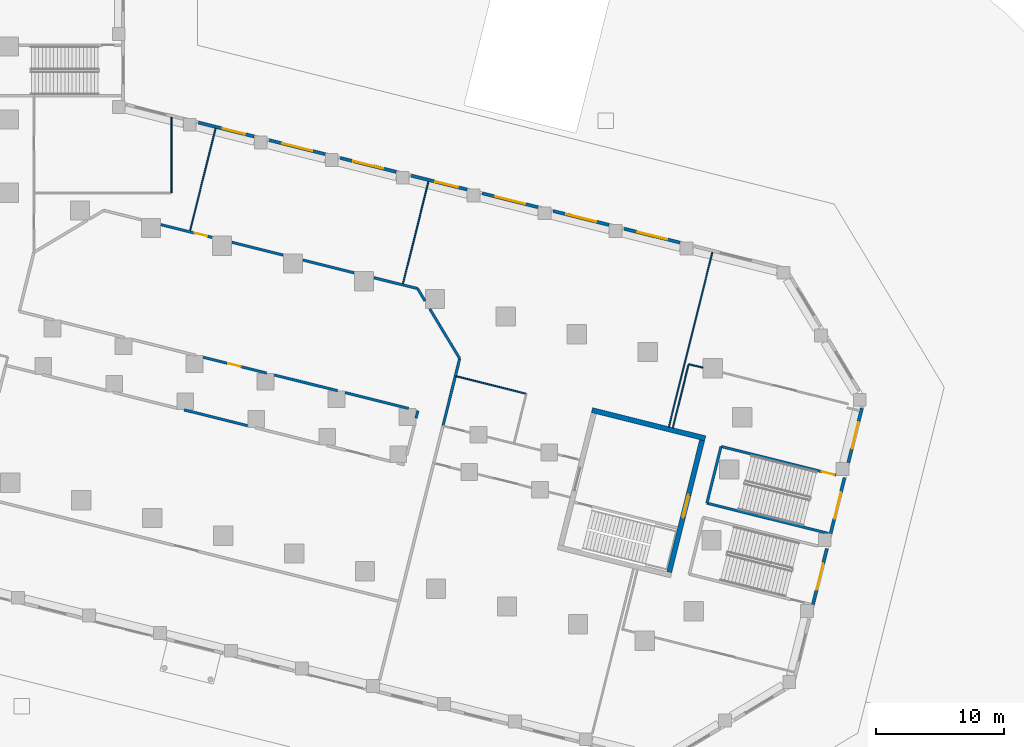
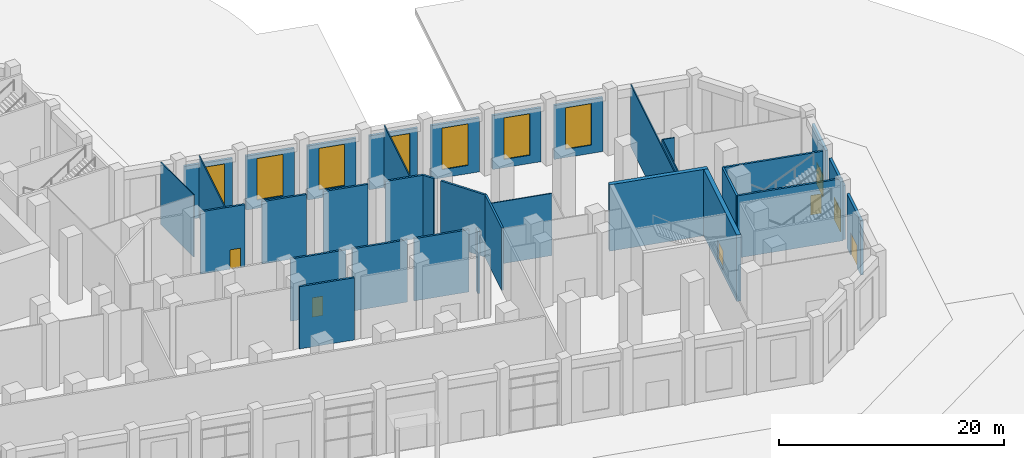
# One storey, part 15 of 27: 34 walls, 7 doors, 7 windows, 14 openings.
"""IFC4 building model written with IfcOpenShell, lengths in metres."""

from ifc_helpers import new_model, si_unit, direction, frame, frame_2d, origin, place, context, subcontext, project, spatial, rectangle, extrude, material, layer, layer_set, type_object, element, fill, save


model = new_model("IFC4")

# Units and contexts
model_context = context("Model", 3, precision=1e-05, world=origin(), true_north=direction((0.0, 1.0)))
body_context = subcontext(model_context, "Body", "Model", "MODEL_VIEW")
ifc_project = project(units=[si_unit("LENGTHUNIT", "METRE"), si_unit("AREAUNIT", "SQUARE_METRE"), si_unit("VOLUMEUNIT", "CUBIC_METRE"), si_unit("PLANEANGLEUNIT", "RADIAN"), si_unit("MASSUNIT", "GRAM", prefix="KILO")], contexts=[model_context])

# Site, building, storey
site_placement = place(None, origin())
site = spatial("IfcSite", under=ifc_project, at=site_placement, CompositionType="ELEMENT")
building_placement = place(site_placement, origin())
building = spatial("IfcBuilding", under=site, at=building_placement, Name="Meshkara Civic Tower", CompositionType="ELEMENT")
storey_placement = place(building_placement, origin())
storey = spatial("IfcBuildingStorey", under=building, at=storey_placement, Name="L00", CompositionType="ELEMENT", Elevation=0.0)

# Walls
ifc_material_1 = material(Name="Corridor wall 100")
ifc_layer_1 = layer(ifc_material_1, 0.10009765625)
ifc_layer_set_1 = layer_set([ifc_layer_1], Name="Corridor wall 100")
wall_type_1 = type_object("IfcWallType", Name="Corridor wall 100", PredefinedType="PARTITIONING", material=ifc_layer_set_1)
wall_1_placement = place(storey_placement, frame((86.31298828125, 1.35888671875, 0.0), z_axis=(0.0, 0.0, 1.0), x_axis=(-0.241961080538, -0.970285955533, 0.0)))
element("IfcWall", 1, at=wall_1_placement, inside=storey, type_object=wall_type_1, Name="L00-R074", PredefinedType="PARTITIONING", context=body_context, shape_type="SweptSolid", body=[
    extrude(rectangle(XDim=5.099609375, YDim=0.10009765625, at=frame_2d((2.5498046875, 0.0))), origin(), (0.0, 0.0, 1.0), 6.75),
])
wall_2_placement = place(storey_placement, frame((87.416015625, 1.083984375, 0.0), z_axis=(0.0, 0.0, 1.0), x_axis=(-0.970319109457, 0.241828091467, 0.0)))
element("IfcWall", 2, at=wall_2_placement, inside=storey, type_object=wall_type_1, Name="L00-R076", PredefinedType="PARTITIONING", context=body_context, shape_type="SweptSolid", body=[
    extrude(rectangle(XDim=1.13671875, YDim=0.10009765625, at=frame_2d((0.568359375, 0.0))), origin(), (0.0, 0.0, 1.0), 6.75),
])
ifc_material_2 = material(Name="Concrete C80", Category="concrete")
ifc_layer_2 = layer(ifc_material_2, 0.39990234375)
ifc_layer_set_2 = layer_set([ifc_layer_2], Name="End core ring wall 400 C80")
wall_type_2 = type_object("IfcWallType", Name="End core ring wall 400 C80", PredefinedType="SHEAR", material=ifc_layer_set_2)
wall_3_placement = place(storey_placement, frame((78.77197265625, -2.222900390625, -0.449951171875), z_axis=(0.0, 0.0, 1.0), x_axis=(0.970306400786, -0.241879078453, 0.0)))
element("IfcWall", 3, at=wall_3_placement, inside=storey, type_object=wall_type_2, Name="L00-C031", PredefinedType="SHEAR", context=body_context, shape_type="SweptSolid", body=[
    extrude(rectangle(XDim=9.100341796875, YDim=0.39990234375, at=frame_2d((4.55029296875, 0.0))), origin(), (0.0, 0.0, 1.0), 7.199951171875),
])

# Wall, opening, door
wall_4_placement = place(storey_placement, frame((84.794921875, -14.85498046875, -0.449951171875), z_axis=(0.0, 0.0, 1.0), x_axis=(0.241890652548, 0.970303515509, 0.0)))
wall_4 = element("IfcWall", 4, at=wall_4_placement, inside=storey, type_object=wall_type_2, Name="L00-C033", PredefinedType="SHEAR", context=body_context, shape_type="SweptSolid", body=[
    extrude(rectangle(XDim=10.599609375, YDim=0.39990234375, at=frame_2d((5.2998046875, 0.0))), origin(), (0.0, 0.0, 1.0), 7.199951171875),
])
opening_1_placement = place(wall_4_placement, frame((4.39990234375, 0.0, 0.449951171875)))
opening_1 = element("IfcOpeningElement", 5, at=opening_1_placement, cuts=wall_4, Name="Opening L00-K203", PredefinedType="OPENING", context=body_context, shape_type="SweptSolid", body=[
    extrude(rectangle(XDim=1.800048828125, YDim=2.10009765625, at=frame_2d((0.89990234375, 1.050048828125))), frame((0.0, 0.2099609375, 0.0), z_axis=(0.0, -1.0, 0.0), x_axis=(1.0, 0.0, 0.0)), (0.0, 0.0, 1.0), 0.419921875),
])
ifc_material_3 = material(Name="Fire-rated door leaf in steel frame", Category="steel")
door_type_1 = type_object("IfcDoorType", Name="Core double door 1800 EI 120", OperationType="DOUBLE_DOOR_SINGLE_SWING", PredefinedType="DOOR", material=ifc_material_3)
door_1_placement = place(opening_1_placement, origin())
door_1 = element("IfcDoor", 6, at=door_1_placement, inside=storey, type_object=door_type_1, Name="L00-K203", OperationType="DOUBLE_DOOR_SINGLE_SWING", OverallHeight=2.10009765625, OverallWidth=1.800048828125, PredefinedType="DOOR", context=body_context, shape_type="SweptSolid", body=[
    extrude(rectangle(XDim=1.800048828125, YDim=2.10009765625, at=frame_2d((0.89990234375, 1.050048828125))), frame((0.0, 0.02490234375, 0.0), z_axis=(0.0, -1.0, 0.0), x_axis=(1.0, 0.0, 0.0)), (0.0, 0.0, 1.0), 0.050048828125),
])
fill(opening_1, door_1)

# Wall
ifc_material_4 = material(Name="Fire-rated wall 200")
ifc_layer_3 = layer(ifc_material_4, 0.199951171875)
ifc_layer_set_3 = layer_set([ifc_layer_3], Name="Fire-rated wall 200")
wall_type_3 = type_object("IfcWallType", Name="Fire-rated wall 200", PredefinedType="PARTITIONING", material=ifc_layer_set_3)
wall_5_placement = place(storey_placement, frame((46.993896484375, -2.205078125, 0.0), z_axis=(0.0, 0.0, 1.0), x_axis=(0.970286068757, -0.241960626499, 0.0)))
element("IfcWall", 7, at=wall_5_placement, inside=storey, type_object=wall_type_3, Name="L00-R054", PredefinedType="PARTITIONING", context=body_context, shape_type="SweptSolid", body=[
    extrude(rectangle(XDim=5.095458984375, YDim=0.199951171875, at=frame_2d((2.5478515625, 0.0))), origin(), (0.0, 0.0, 1.0), 6.75),
])

# Wall, opening, door
wall_6_placement = place(storey_placement, frame((53.4189453125, 0.6669921875, 0.0), z_axis=(0.0, 0.0, 1.0), x_axis=(-0.970308496754, 0.241870670251, 0.0)))
wall_6 = element("IfcWall", 8, at=wall_6_placement, inside=storey, type_object=wall_type_3, Name="L00-R057", PredefinedType="PARTITIONING", context=body_context, shape_type="SweptSolid", body=[
    extrude(rectangle(XDim=5.097412109375, YDim=0.199951171875, at=frame_2d((2.548828125, 0.0))), origin(), (0.0, 0.0, 1.0), 6.75),
])
opening_2_placement = place(wall_6_placement, frame((2.080078125, 0.0, 0.0)))
opening_2 = element("IfcOpeningElement", 9, at=opening_2_placement, cuts=wall_6, Name="Opening L00-P013", PredefinedType="OPENING", context=body_context, shape_type="SweptSolid", body=[
    extrude(rectangle(XDim=1.0, YDim=2.10009765625, at=frame_2d((0.5, 1.050048828125))), frame((0.0, 0.10986328125, 0.0), z_axis=(0.0, -1.0, 0.0), x_axis=(1.0, 0.0, 0.0)), (0.0, 0.0, 1.0), 0.219970703125),
])
ifc_material_5 = material(Name="Door 1000 x 2100")
door_type_2 = type_object("IfcDoorType", Name="Door 1000 x 2100", OperationType="SINGLE_SWING_LEFT", PredefinedType="DOOR", material=ifc_material_5)
door_2_placement = place(opening_2_placement, origin())
door_2 = element("IfcDoor", 10, at=door_2_placement, inside=storey, type_object=door_type_2, Name="L00-P013", OperationType="SINGLE_SWING_LEFT", OverallHeight=2.10009765625, OverallWidth=1.0, PredefinedType="DOOR", context=body_context, shape_type="SweptSolid", body=[
    extrude(rectangle(XDim=1.0, YDim=2.10009765625, at=frame_2d((0.5, 1.050048828125))), frame((0.0, 0.02490234375, 0.0), z_axis=(0.0, -1.0, 0.0), x_axis=(1.0, 0.0, 0.0)), (0.0, 0.0, 1.0), 0.050048828125),
])
fill(opening_2, door_2)

# Walls
wall_7_placement = place(storey_placement, frame((58.949951171875, -0.7119140625, 0.0), z_axis=(0.0, 0.0, 1.0), x_axis=(-0.970308496754, 0.241870670251, 0.0)))
element("IfcWall", 11, at=wall_7_placement, inside=storey, type_object=wall_type_3, Name="L00-R059", PredefinedType="PARTITIONING", context=body_context, shape_type="SweptSolid", body=[
    extrude(rectangle(XDim=5.097412109375, YDim=0.199951171875, at=frame_2d((2.548828125, 0.0))), origin(), (0.0, 0.0, 1.0), 6.75),
])
wall_8_placement = place(storey_placement, frame((64.48095703125, -2.091064453125, 0.0), z_axis=(0.0, 0.0, 1.0), x_axis=(-0.970308464025, 0.241870801549, 0.0)))
element("IfcWall", 12, at=wall_8_placement, inside=storey, type_object=wall_type_3, Name="L00-R062", PredefinedType="PARTITIONING", context=body_context, shape_type="SweptSolid", body=[
    extrude(rectangle(XDim=5.098388671875, YDim=0.199951171875, at=frame_2d((2.54931640625, 0.0))), origin(), (0.0, 0.0, 1.0), 6.75),
])
wall_9_placement = place(storey_placement, frame((65.06494140625, -2.842041015625, 0.0), z_axis=(0.0, 0.0, 1.0), x_axis=(0.241851126478, 0.970313368259, 0.0)))
element("IfcWall", 13, at=wall_9_placement, inside=storey, type_object=wall_type_3, Name="L00-R063", PredefinedType="PARTITIONING", context=body_context, shape_type="SweptSolid", body=[
    extrude(rectangle(XDim=0.58740234375, YDim=0.199951171875, at=frame_2d((0.293701171875, 0.0))), origin(), (0.0, 0.0, 1.0), 6.75),
])

# Wall, opening, door
wall_10_placement = place(storey_placement, frame((45.180908203125, 12.23291015625, 0.0), z_axis=(0.0, 0.0, 1.0), x_axis=(0.970309854702, -0.241865222529, 0.0)))
wall_10 = element("IfcWall", 14, at=wall_10_placement, inside=storey, type_object=wall_type_3, Name="L00-R107", PredefinedType="PARTITIONING", context=body_context, shape_type="SweptSolid", body=[
    extrude(rectangle(XDim=4.11328125, YDim=0.199951171875, at=frame_2d((2.056640625, 0.0))), origin(), (0.0, 0.0, 1.0), 6.75),
])
opening_3_placement = place(wall_10_placement, frame((2.717041015625, 0.0, 0.0)))
opening_3 = element("IfcOpeningElement", 15, at=opening_3_placement, cuts=wall_10, Name="Opening L00-P015", PredefinedType="OPENING", context=body_context, shape_type="SweptSolid", body=[
    extrude(rectangle(XDim=1.0, YDim=2.10009765625, at=frame_2d((0.5, 1.050048828125))), frame((0.0, 0.10986328125, 0.0), z_axis=(0.0, -1.0, 0.0), x_axis=(1.0, 0.0, 0.0)), (0.0, 0.0, 1.0), 0.219970703125),
])
door_3_placement = place(opening_3_placement, origin())
door_3 = element("IfcDoor", 16, at=door_3_placement, inside=storey, type_object=door_type_2, Name="L00-P015", OperationType="SINGLE_SWING_LEFT", OverallHeight=2.10009765625, OverallWidth=1.0, PredefinedType="DOOR", context=body_context, shape_type="SweptSolid", body=[
    extrude(rectangle(XDim=1.0, YDim=2.10009765625, at=frame_2d((0.5, 1.050048828125))), frame((0.0, 0.02490234375, 0.0), z_axis=(0.0, -1.0, 0.0), x_axis=(1.0, 0.0, 0.0)), (0.0, 0.0, 1.0), 0.050048828125),
])
fill(opening_3, door_3)

# Walls
wall_11_placement = place(storey_placement, frame((54.702880859375, 9.85888671875, 0.0), z_axis=(0.0, 0.0, 1.0), x_axis=(-0.970292450022, 0.241935035559, 0.0)))
element("IfcWall", 17, at=wall_11_placement, inside=storey, type_object=wall_type_3, Name="L00-R110", PredefinedType="PARTITIONING", context=body_context, shape_type="SweptSolid", body=[
    extrude(rectangle(XDim=4.113037109375, YDim=0.199951171875, at=frame_2d((2.056640625, 0.0))), origin(), (0.0, 0.0, 1.0), 6.75),
])
wall_12_placement = place(storey_placement, frame((60.23291015625, 8.47998046875, 0.0), z_axis=(0.0, 0.0, 1.0), x_axis=(-0.970278548184, 0.241990782745, 0.0)))
element("IfcWall", 18, at=wall_12_placement, inside=storey, type_object=wall_type_3, Name="L00-R111", PredefinedType="PARTITIONING", context=body_context, shape_type="SweptSolid", body=[
    extrude(rectangle(XDim=4.1123046875, YDim=0.199951171875, at=frame_2d((2.05615234375, 0.0))), origin(), (0.0, 0.0, 1.0), 6.75),
])
wall_13_placement = place(storey_placement, frame((61.77294921875, 8.096923828125, 0.0), z_axis=(0.0, 0.0, 1.0), x_axis=(0.97028917266, -0.241948179203, 0.0)))
element("IfcWall", 19, at=wall_13_placement, inside=storey, type_object=wall_type_3, Name="L00-R112", PredefinedType="PARTITIONING", context=body_context, shape_type="SweptSolid", body=[
    extrude(rectangle(XDim=3.5205078125, YDim=0.199951171875, at=frame_2d((1.76025390625, 0.0))), origin(), (0.0, 0.0, 1.0), 6.75),
])
wall_14_placement = place(storey_placement, frame((65.763916015625, 6.2880859375, 0.0), z_axis=(0.0, 0.0, 1.0), x_axis=(-0.514978043865, 0.857203368132, 0.0)))
element("IfcWall", 20, at=wall_14_placement, inside=storey, type_object=wall_type_3, Name="L00-R115", PredefinedType="PARTITIONING", context=body_context, shape_type="SweptSolid", body=[
    extrude(rectangle(XDim=1.116455078125, YDim=0.199951171875, at=frame_2d((0.55810546875, 0.0))), origin(), (0.0, 0.0, 1.0), 6.75),
])
wall_15_placement = place(storey_placement, frame((68.467041015625, 1.7900390625, 0.0), z_axis=(0.0, 0.0, 1.0), x_axis=(-0.242035662002, -0.970267354042, 0.0)))
element("IfcWall", 21, at=wall_15_placement, inside=storey, type_object=wall_type_3, Name="L00-R116", PredefinedType="PARTITIONING", context=body_context, shape_type="SweptSolid", body=[
    extrude(rectangle(XDim=5.400634765625, YDim=0.199951171875, at=frame_2d((2.7001953125, 0.0))), origin(), (0.0, 0.0, 1.0), 6.75),
])
wall_16_placement = place(storey_placement, frame((68.467041015625, 1.7900390625, 0.0), z_axis=(0.0, 0.0, 1.0), x_axis=(-0.515137204173, 0.85710773003, 0.0)))
element("IfcWall", 22, at=wall_16_placement, inside=storey, type_object=wall_type_3, Name="L00-R117", PredefinedType="PARTITIONING", context=body_context, shape_type="SweptSolid", body=[
    extrude(rectangle(XDim=4.53271484375, YDim=0.199951171875, at=frame_2d((2.266357421875, 0.0))), origin(), (0.0, 0.0, 1.0), 6.75),
])

# Wall, opening, door
ifc_material_6 = material(Name="Stone cladding on insulated backing wall", Category="masonry")
ifc_layer_4 = layer(ifc_material_6, 0.25)
ifc_layer_set_4 = layer_set([ifc_layer_4], Name="PODIUM STONE WALL 250")
wall_type_4 = type_object("IfcWallType", Name="PODIUM STONE WALL 250", PredefinedType="SOLIDWALL", material=ifc_layer_set_4)
wall_17_placement = place(storey_placement, frame((95.9951171875, -17.367919921875, 0.0), z_axis=(0.0, 0.0, 1.0), x_axis=(0.241793032904, 0.970327846266, 0.0)))
wall_17 = element("IfcWall", 23, at=wall_17_placement, inside=storey, type_object=wall_type_4, Name="Podium external wall", PredefinedType="SOLIDWALL", context=body_context, shape_type="SweptSolid", body=[
    extrude(rectangle(XDim=4.487060546875, YDim=0.25, at=frame_2d((2.24365234375, 0.0))), origin(), (0.0, 0.0, 1.0), 5.85009765625),
])
opening_4_placement = place(wall_17_placement, frame((1.194091796875, 0.0, 0.0)))
opening_4 = element("IfcOpeningElement", 24, at=opening_4_placement, cuts=wall_17, Name="Opening L00-G015", PredefinedType="OPENING", context=body_context, shape_type="SweptSolid", body=[
    extrude(rectangle(XDim=2.10009765625, YDim=2.39990234375, at=frame_2d((1.050048828125, 1.199951171875))), frame((0.0, 0.135009765625, 0.0), z_axis=(0.0, -1.0, 0.0), x_axis=(1.0, 0.0, 0.0)), (0.0, 0.0, 1.0), 0.27001953125),
])
ifc_material_7 = material(Name="Steel S355", Category="steel")
door_type_3 = type_object("IfcDoorType", Name="EXIT DOOR PAIR 2100x2400", OperationType="DOUBLE_DOOR_DOUBLE_SWING", PredefinedType="DOOR", material=ifc_material_7)
door_4_placement = place(opening_4_placement, origin())
door_4 = element("IfcDoor", 25, at=door_4_placement, inside=storey, type_object=door_type_3, Name="L00-G015", OperationType="DOUBLE_DOOR_DOUBLE_SWING", OverallHeight=2.39990234375, OverallWidth=2.10009765625, PredefinedType="DOOR", context=body_context, shape_type="SweptSolid", body=[
    extrude(rectangle(XDim=2.10009765625, YDim=2.39990234375, at=frame_2d((1.050048828125, 1.199951171875))), frame((0.0, 0.02490234375, 0.0), z_axis=(0.0, -1.0, 0.0), x_axis=(1.0, 0.0, 0.0)), (0.0, 0.0, 1.0), 0.050048828125),
])
fill(opening_4, door_4)

wall_18_placement = place(storey_placement, frame((97.373046875, -11.837890625, 0.0), z_axis=(0.0, 0.0, 1.0), x_axis=(0.241946839653, 0.970289506684, 0.0)))
wall_18 = element("IfcWall", 26, at=wall_18_placement, inside=storey, type_object=wall_type_4, Name="Podium external wall", PredefinedType="SOLIDWALL", context=body_context, shape_type="SweptSolid", body=[
    extrude(rectangle(XDim=4.48828125, YDim=0.25, at=frame_2d((2.244140625, 0.0))), origin(), (0.0, 0.0, 1.0), 5.85009765625),
])
opening_5_placement = place(wall_18_placement, frame((1.194091796875, 0.0, 0.0)))
opening_5 = element("IfcOpeningElement", 27, at=opening_5_placement, cuts=wall_18, Name="Opening L00-G016", PredefinedType="OPENING", context=body_context, shape_type="SweptSolid", body=[
    extrude(rectangle(XDim=2.10009765625, YDim=2.39990234375, at=frame_2d((1.050048828125, 1.199951171875))), frame((0.0, 0.135009765625, 0.0), z_axis=(0.0, -1.0, 0.0), x_axis=(1.0, 0.0, 0.0)), (0.0, 0.0, 1.0), 0.27001953125),
])
door_5_placement = place(opening_5_placement, origin())
door_5 = element("IfcDoor", 28, at=door_5_placement, inside=storey, type_object=door_type_3, Name="L00-G016", OperationType="DOUBLE_DOOR_DOUBLE_SWING", OverallHeight=2.39990234375, OverallWidth=2.10009765625, PredefinedType="DOOR", context=body_context, shape_type="SweptSolid", body=[
    extrude(rectangle(XDim=2.10009765625, YDim=2.39990234375, at=frame_2d((1.050048828125, 1.199951171875))), frame((0.0, 0.02490234375, 0.0), z_axis=(0.0, -1.0, 0.0), x_axis=(1.0, 0.0, 0.0)), (0.0, 0.0, 1.0), 0.050048828125),
])
fill(opening_5, door_5)

wall_19_placement = place(storey_placement, frame((98.7529296875, -6.306884765625, 0.0), z_axis=(0.0, 0.0, 1.0), x_axis=(0.241823818975, 0.97032017426, 0.0)))
wall_19 = element("IfcWall", 29, at=wall_19_placement, inside=storey, type_object=wall_type_4, Name="Podium external wall", PredefinedType="SOLIDWALL", context=body_context, shape_type="SweptSolid", body=[
    extrude(rectangle(XDim=4.3583984375, YDim=0.25, at=frame_2d((2.17919921875, 0.0))), origin(), (0.0, 0.0, 1.0), 5.85009765625),
])
opening_6_placement = place(wall_19_placement, frame((1.12890625, 0.0, 0.0)))
opening_6 = element("IfcOpeningElement", 30, at=opening_6_placement, cuts=wall_19, Name="Opening L00-G017", PredefinedType="OPENING", context=body_context, shape_type="SweptSolid", body=[
    extrude(rectangle(XDim=2.10009765625, YDim=2.39990234375, at=frame_2d((1.050048828125, 1.199951171875))), frame((0.0, 0.135009765625, 0.0), z_axis=(0.0, -1.0, 0.0), x_axis=(1.0, 0.0, 0.0)), (0.0, 0.0, 1.0), 0.27001953125),
])
door_6_placement = place(opening_6_placement, origin())
door_6 = element("IfcDoor", 31, at=door_6_placement, inside=storey, type_object=door_type_3, Name="L00-G017", OperationType="DOUBLE_DOOR_DOUBLE_SWING", OverallHeight=2.39990234375, OverallWidth=2.10009765625, PredefinedType="DOOR", context=body_context, shape_type="SweptSolid", body=[
    extrude(rectangle(XDim=2.10009765625, YDim=2.39990234375, at=frame_2d((1.050048828125, 1.199951171875))), frame((0.0, 0.02490234375, 0.0), z_axis=(0.0, -1.0, 0.0), x_axis=(1.0, 0.0, 0.0)), (0.0, 0.0, 1.0), 0.050048828125),
])
fill(opening_6, door_6)

# Wall, opening, window
wall_20_placement = place(storey_placement, frame((85.635986328125, 10.8291015625, 0.0), z_axis=(0.0, 0.0, 1.0), x_axis=(-0.970327846266, 0.241793032904, 0.0)))
wall_20 = element("IfcWall", 32, at=wall_20_placement, inside=storey, type_object=wall_type_4, Name="Podium external wall", PredefinedType="SOLIDWALL", context=body_context, shape_type="SweptSolid", body=[
    extrude(rectangle(XDim=4.487060546875, YDim=0.25, at=frame_2d((2.24365234375, 0.0))), origin(), (0.0, 0.0, 1.0), 5.85009765625),
])
opening_7_placement = place(wall_20_placement, frame((1.0439453125, 0.0, 0.89990234375)))
opening_7 = element("IfcOpeningElement", 33, at=opening_7_placement, cuts=wall_20, Name="Opening PW1", PredefinedType="OPENING", context=body_context, shape_type="SweptSolid", body=[
    extrude(rectangle(XDim=2.39990234375, YDim=4.5, at=frame_2d((1.199951171875, 2.25))), frame((0.0, 0.135009765625, 0.0), z_axis=(0.0, -1.0, 0.0), x_axis=(1.0, 0.0, 0.0)), (0.0, 0.0, 1.0), 0.27001953125),
])
ifc_material_8 = material(Name="Tinted double glazing", Category="glass")
window_type_1 = type_object("IfcWindowType", Name="PODIUM WINDOW 2400x4500", PartitioningType="DOUBLE_PANEL_VERTICAL", PredefinedType="WINDOW", material=ifc_material_8)
window_1_placement = place(opening_7_placement, origin())
window_1 = element("IfcWindow", 34, at=window_1_placement, inside=storey, type_object=window_type_1, Name="Podium window", OverallHeight=4.5, OverallWidth=2.39990234375, PartitioningType="DOUBLE_PANEL_VERTICAL", PredefinedType="WINDOW", context=body_context, shape_type="SweptSolid", body=[
    extrude(rectangle(XDim=2.39990234375, YDim=4.5, at=frame_2d((1.199951171875, 2.25))), frame((0.0, 0.030029296875, 0.0), z_axis=(0.0, -1.0, 0.0), x_axis=(1.0, 0.0, 0.0)), (0.0, 0.0, 1.0), 0.06005859375),
])
fill(opening_7, window_1)

wall_21_placement = place(storey_placement, frame((80.10595703125, 12.2080078125, 0.0), z_axis=(0.0, 0.0, 1.0), x_axis=(-0.970289506684, 0.241946839653, 0.0)))
wall_21 = element("IfcWall", 35, at=wall_21_placement, inside=storey, type_object=wall_type_4, Name="Podium external wall", PredefinedType="SOLIDWALL", context=body_context, shape_type="SweptSolid", body=[
    extrude(rectangle(XDim=4.48828125, YDim=0.25, at=frame_2d((2.244140625, 0.0))), origin(), (0.0, 0.0, 1.0), 5.85009765625),
])
opening_8_placement = place(wall_21_placement, frame((1.0439453125, 0.0, 0.89990234375)))
opening_8 = element("IfcOpeningElement", 36, at=opening_8_placement, cuts=wall_21, Name="Opening PW1", PredefinedType="OPENING", context=body_context, shape_type="SweptSolid", body=[
    extrude(rectangle(XDim=2.39990234375, YDim=4.5, at=frame_2d((1.199951171875, 2.25))), frame((0.0, 0.135009765625, 0.0), z_axis=(0.0, -1.0, 0.0), x_axis=(1.0, 0.0, 0.0)), (0.0, 0.0, 1.0), 0.27001953125),
])
window_2_placement = place(opening_8_placement, origin())
window_2 = element("IfcWindow", 37, at=window_2_placement, inside=storey, type_object=window_type_1, Name="Podium window", OverallHeight=4.5, OverallWidth=2.39990234375, PartitioningType="DOUBLE_PANEL_VERTICAL", PredefinedType="WINDOW", context=body_context, shape_type="SweptSolid", body=[
    extrude(rectangle(XDim=2.39990234375, YDim=4.5, at=frame_2d((1.199951171875, 2.25))), frame((0.0, 0.030029296875, 0.0), z_axis=(0.0, -1.0, 0.0), x_axis=(1.0, 0.0, 0.0)), (0.0, 0.0, 1.0), 0.06005859375),
])
fill(opening_8, window_2)

wall_22_placement = place(storey_placement, frame((74.574951171875, 13.5869140625, 0.0), z_axis=(0.0, 0.0, 1.0), x_axis=(-0.970276735926, 0.241998049004, 0.0)))
wall_22 = element("IfcWall", 38, at=wall_22_placement, inside=storey, type_object=wall_type_4, Name="Podium external wall", PredefinedType="SOLIDWALL", context=body_context, shape_type="SweptSolid", body=[
    extrude(rectangle(XDim=4.48828125, YDim=0.25, at=frame_2d((2.244140625, 0.0))), origin(), (0.0, 0.0, 1.0), 5.85009765625),
])
opening_9_placement = place(wall_22_placement, frame((1.0439453125, 0.0, 0.89990234375)))
opening_9 = element("IfcOpeningElement", 39, at=opening_9_placement, cuts=wall_22, Name="Opening PW1", PredefinedType="OPENING", context=body_context, shape_type="SweptSolid", body=[
    extrude(rectangle(XDim=2.39990234375, YDim=4.5, at=frame_2d((1.199951171875, 2.25))), frame((0.0, 0.135009765625, 0.0), z_axis=(0.0, -1.0, 0.0), x_axis=(1.0, 0.0, 0.0)), (0.0, 0.0, 1.0), 0.27001953125),
])
window_3_placement = place(opening_9_placement, origin())
window_3 = element("IfcWindow", 40, at=window_3_placement, inside=storey, type_object=window_type_1, Name="Podium window", OverallHeight=4.5, OverallWidth=2.39990234375, PartitioningType="DOUBLE_PANEL_VERTICAL", PredefinedType="WINDOW", context=body_context, shape_type="SweptSolid", body=[
    extrude(rectangle(XDim=2.39990234375, YDim=4.5, at=frame_2d((1.199951171875, 2.25))), frame((0.0, 0.030029296875, 0.0), z_axis=(0.0, -1.0, 0.0), x_axis=(1.0, 0.0, 0.0)), (0.0, 0.0, 1.0), 0.06005859375),
])
fill(opening_9, window_3)

wall_23_placement = place(storey_placement, frame((69.0439453125, 14.966064453125, 0.0), z_axis=(0.0, 0.0, 1.0), x_axis=(-0.970276766004, 0.241997928406, 0.0)))
wall_23 = element("IfcWall", 41, at=wall_23_placement, inside=storey, type_object=wall_type_4, Name="Podium external wall", PredefinedType="SOLIDWALL", context=body_context, shape_type="SweptSolid", body=[
    extrude(rectangle(XDim=4.4873046875, YDim=0.25, at=frame_2d((2.24365234375, 0.0))), origin(), (0.0, 0.0, 1.0), 5.85009765625),
])
opening_10_placement = place(wall_23_placement, frame((0.736083984375, 0.0, 0.89990234375)))
opening_10 = element("IfcOpeningElement", 42, at=opening_10_placement, cuts=wall_23, Name="Opening PW2", PredefinedType="OPENING", context=body_context, shape_type="SweptSolid", body=[
    extrude(rectangle(XDim=1.800048828125, YDim=4.5, at=frame_2d((0.89990234375, 2.25))), frame((0.0, 0.135009765625, 0.0), z_axis=(0.0, -1.0, 0.0), x_axis=(1.0, 0.0, 0.0)), (0.0, 0.0, 1.0), 0.27001953125),
])
ifc_material_9 = material(Name="Tinted double glazing", Category="glass")
window_type_2 = type_object("IfcWindowType", Name="PODIUM WINDOW 1800x4500", PartitioningType="DOUBLE_PANEL_VERTICAL", PredefinedType="WINDOW", material=ifc_material_9)
window_4_placement = place(opening_10_placement, origin())
window_4 = element("IfcWindow", 43, at=window_4_placement, inside=storey, type_object=window_type_2, Name="Podium window", OverallHeight=4.5, OverallWidth=1.800048828125, PartitioningType="DOUBLE_PANEL_VERTICAL", PredefinedType="WINDOW", context=body_context, shape_type="SweptSolid", body=[
    extrude(rectangle(XDim=1.800048828125, YDim=4.5, at=frame_2d((0.89990234375, 2.25))), frame((0.0, 0.030029296875, 0.0), z_axis=(0.0, -1.0, 0.0), x_axis=(1.0, 0.0, 0.0)), (0.0, 0.0, 1.0), 0.06005859375),
])
fill(opening_10, window_4)

wall_24_placement = place(storey_placement, frame((63.513916015625, 16.344970703125, 0.0), z_axis=(0.0, 0.0, 1.0), x_axis=(-0.970289506684, 0.241946839653, 0.0)))
wall_24 = element("IfcWall", 44, at=wall_24_placement, inside=storey, type_object=wall_type_4, Name="Podium external wall", PredefinedType="SOLIDWALL", context=body_context, shape_type="SweptSolid", body=[
    extrude(rectangle(XDim=4.48828125, YDim=0.25, at=frame_2d((2.244140625, 0.0))), origin(), (0.0, 0.0, 1.0), 5.85009765625),
])
opening_11_placement = place(wall_24_placement, frame((1.0439453125, 0.0, 0.89990234375)))
opening_11 = element("IfcOpeningElement", 45, at=opening_11_placement, cuts=wall_24, Name="Opening PW1", PredefinedType="OPENING", context=body_context, shape_type="SweptSolid", body=[
    extrude(rectangle(XDim=2.39990234375, YDim=4.5, at=frame_2d((1.199951171875, 2.25))), frame((0.0, 0.135009765625, 0.0), z_axis=(0.0, -1.0, 0.0), x_axis=(1.0, 0.0, 0.0)), (0.0, 0.0, 1.0), 0.27001953125),
])
window_5_placement = place(opening_11_placement, origin())
window_5 = element("IfcWindow", 46, at=window_5_placement, inside=storey, type_object=window_type_1, Name="Podium window", OverallHeight=4.5, OverallWidth=2.39990234375, PartitioningType="DOUBLE_PANEL_VERTICAL", PredefinedType="WINDOW", context=body_context, shape_type="SweptSolid", body=[
    extrude(rectangle(XDim=2.39990234375, YDim=4.5, at=frame_2d((1.199951171875, 2.25))), frame((0.0, 0.030029296875, 0.0), z_axis=(0.0, -1.0, 0.0), x_axis=(1.0, 0.0, 0.0)), (0.0, 0.0, 1.0), 0.06005859375),
])
fill(opening_11, window_5)

wall_25_placement = place(storey_placement, frame((57.98291015625, 17.72412109375, 0.0), z_axis=(0.0, 0.0, 1.0), x_axis=(-0.970289506684, 0.241946839653, 0.0)))
wall_25 = element("IfcWall", 47, at=wall_25_placement, inside=storey, type_object=wall_type_4, Name="Podium external wall", PredefinedType="SOLIDWALL", context=body_context, shape_type="SweptSolid", body=[
    extrude(rectangle(XDim=4.48828125, YDim=0.25, at=frame_2d((2.244140625, 0.0))), origin(), (0.0, 0.0, 1.0), 5.85009765625),
])
opening_12_placement = place(wall_25_placement, frame((1.0439453125, 0.0, 0.89990234375)))
opening_12 = element("IfcOpeningElement", 48, at=opening_12_placement, cuts=wall_25, Name="Opening PW1", PredefinedType="OPENING", context=body_context, shape_type="SweptSolid", body=[
    extrude(rectangle(XDim=2.39990234375, YDim=4.5, at=frame_2d((1.199951171875, 2.25))), frame((0.0, 0.135009765625, 0.0), z_axis=(0.0, -1.0, 0.0), x_axis=(1.0, 0.0, 0.0)), (0.0, 0.0, 1.0), 0.27001953125),
])
window_6_placement = place(opening_12_placement, origin())
window_6 = element("IfcWindow", 49, at=window_6_placement, inside=storey, type_object=window_type_1, Name="Podium window", OverallHeight=4.5, OverallWidth=2.39990234375, PartitioningType="DOUBLE_PANEL_VERTICAL", PredefinedType="WINDOW", context=body_context, shape_type="SweptSolid", body=[
    extrude(rectangle(XDim=2.39990234375, YDim=4.5, at=frame_2d((1.199951171875, 2.25))), frame((0.0, 0.030029296875, 0.0), z_axis=(0.0, -1.0, 0.0), x_axis=(1.0, 0.0, 0.0)), (0.0, 0.0, 1.0), 0.06005859375),
])
fill(opening_12, window_6)

wall_26_placement = place(storey_placement, frame((52.451904296875, 19.10302734375, 0.0), z_axis=(0.0, 0.0, 1.0), x_axis=(-0.970276766004, 0.241997928406, 0.0)))
wall_26 = element("IfcWall", 50, at=wall_26_placement, inside=storey, type_object=wall_type_4, Name="Podium external wall", PredefinedType="SOLIDWALL", context=body_context, shape_type="SweptSolid", body=[
    extrude(rectangle(XDim=4.4873046875, YDim=0.25, at=frame_2d((2.24365234375, 0.0))), origin(), (0.0, 0.0, 1.0), 5.85009765625),
])
opening_13_placement = place(wall_26_placement, frame((0.736083984375, 0.0, 0.89990234375)))
opening_13 = element("IfcOpeningElement", 51, at=opening_13_placement, cuts=wall_26, Name="Opening PW2", PredefinedType="OPENING", context=body_context, shape_type="SweptSolid", body=[
    extrude(rectangle(XDim=1.800048828125, YDim=4.5, at=frame_2d((0.89990234375, 2.25))), frame((0.0, 0.135009765625, 0.0), z_axis=(0.0, -1.0, 0.0), x_axis=(1.0, 0.0, 0.0)), (0.0, 0.0, 1.0), 0.27001953125),
])
window_7_placement = place(opening_13_placement, origin())
window_7 = element("IfcWindow", 52, at=window_7_placement, inside=storey, type_object=window_type_2, Name="Podium window", OverallHeight=4.5, OverallWidth=1.800048828125, PartitioningType="DOUBLE_PANEL_VERTICAL", PredefinedType="WINDOW", context=body_context, shape_type="SweptSolid", body=[
    extrude(rectangle(XDim=1.800048828125, YDim=4.5, at=frame_2d((0.89990234375, 2.25))), frame((0.0, 0.030029296875, 0.0), z_axis=(0.0, -1.0, 0.0), x_axis=(1.0, 0.0, 0.0)), (0.0, 0.0, 1.0), 0.06005859375),
])
fill(opening_13, window_7)

# Walls
ifc_material_10 = material(Name="Partition 100")
ifc_layer_5 = layer(ifc_material_10, 0.10009765625)
ifc_layer_set_5 = layer_set([ifc_layer_5], Name="Partition 100")
wall_type_5 = type_object("IfcWallType", Name="Partition 100", PredefinedType="PARTITIONING", material=ifc_layer_set_5)
wall_27_placement = place(storey_placement, frame((46.0, 14.699951171875, 0.0), z_axis=(0.0, 0.0, 1.0), x_axis=(0.0, 1.0, 0.0)))
element("IfcWall", 53, at=wall_27_placement, inside=storey, type_object=wall_type_5, Name="L00-R108", PredefinedType="PARTITIONING", context=body_context, shape_type="SweptSolid", body=[
    extrude(rectangle(XDim=5.883056640625, YDim=0.10009765625, at=frame_2d((2.94140625, 0.0))), origin(), (0.0, 0.0, 1.0), 6.75),
])
for number, where, z_axis, x_axis, name in (
    (54, (47.445068359375, 11.720947265625, 0.0), (0.0, 0.0, 1.0), (0.241853131272, 0.97031286856, 0.0), "L00-R109"),
    (55, (64.037109375, 7.583984375, 0.0), (0.0, 0.0, 1.0), (0.241825266749, 0.970319813444, 0.0), "L00-R114"),
):
    element("IfcWall", number, at=place(storey_placement, frame(where, z_axis=z_axis, x_axis=x_axis)), inside=storey, type_object=wall_type_5, Name=name, PredefinedType="PARTITIONING", context=body_context, shape_type="SweptSolid", body=[
        extrude(rectangle(XDim=8.249267578125, YDim=0.10009765625, at=frame_2d((4.12451171875, 0.0))), origin(), (0.0, 0.0, 1.0), 6.75),
    ])
wall_28_placement = place(storey_placement, frame((73.658935546875, -0.947998046875, 0.0), z_axis=(0.0, 0.0, 1.0), x_axis=(-0.970289751225, 0.241945858961, 0.0)))
element("IfcWall", 56, at=wall_28_placement, inside=storey, type_object=wall_type_5, Name="L00-R119", PredefinedType="PARTITIONING", context=body_context, shape_type="SweptSolid", body=[
    extrude(rectangle(XDim=5.64990234375, YDim=0.10009765625, at=frame_2d((2.824951171875, 0.0))), origin(), (0.0, 0.0, 1.0), 6.75),
])
wall_29_placement = place(storey_placement, frame((84.76806640625, -3.511962890625, 0.0), z_axis=(0.0, 0.0, 1.0), x_axis=(0.241944715397, 0.970290036376, 0.0)))
element("IfcWall", 57, at=wall_29_placement, inside=storey, type_object=wall_type_5, Name="L00-R121", PredefinedType="PARTITIONING", context=body_context, shape_type="SweptSolid", body=[
    extrude(rectangle(XDim=14.0, YDim=0.10009765625, at=frame_2d((7.0, 0.0))), origin(), (0.0, 0.0, 1.0), 6.75),
])
ifc_material_11 = material(Name="Concrete C40/50", Category="concrete")
ifc_layer_6 = layer(ifc_material_11, 0.199951171875)
ifc_layer_set_6 = layer_set([ifc_layer_6], Name="Stair enclosure wall 200 C40/50")
wall_type_6 = type_object("IfcWallType", Name="Stair enclosure wall 200 C40/50", PredefinedType="SOLIDWALL", material=ifc_layer_set_6)
wall_30_placement = place(storey_placement, frame((87.735107421875, -9.470947265625, 0.0), z_axis=(0.0, 0.0, 1.0), x_axis=(0.241727520474, 0.970344168759, 0.0)))
element("IfcWall", 58, at=wall_30_placement, inside=storey, type_object=wall_type_6, Name="L00-R078", PredefinedType="SOLIDWALL", context=body_context, shape_type="SweptSolid", body=[
    extrude(rectangle(XDim=4.550048828125, YDim=0.199951171875, at=frame_2d((2.27490234375, 0.0))), origin(), (0.0, 0.0, 1.0), 6.75),
])

# Wall, opening, door
wall_31_placement = place(storey_placement, frame((88.8349609375, -5.055908203125, 0.0), z_axis=(0.0, 0.0, 1.0), x_axis=(0.97028891911, -0.241949196016, 0.0)))
wall_31 = element("IfcWall", 59, at=wall_31_placement, inside=storey, type_object=wall_type_6, Name="L00-R079", PredefinedType="SOLIDWALL", context=body_context, shape_type="SweptSolid", body=[
    extrude(rectangle(XDim=9.208740234375, YDim=0.199951171875, at=frame_2d((4.6044921875, 0.0))), origin(), (0.0, 0.0, 1.0), 6.75),
])
opening_14_placement = place(wall_31_placement, frame((8.10009765625, 0.0, 0.0)))
opening_14 = element("IfcOpeningElement", 60, at=opening_14_placement, cuts=wall_31, Name="Opening L00-P006", PredefinedType="OPENING", context=body_context, shape_type="SweptSolid", body=[
    extrude(rectangle(XDim=1.0, YDim=2.10009765625, at=frame_2d((0.5, 1.050048828125))), frame((0.0, 0.10986328125, 0.0), z_axis=(0.0, -1.0, 0.0), x_axis=(1.0, 0.0, 0.0)), (0.0, 0.0, 1.0), 0.219970703125),
])
door_7_placement = place(opening_14_placement, origin())
door_7 = element("IfcDoor", 61, at=door_7_placement, inside=storey, type_object=door_type_2, Name="L00-P006", OperationType="SINGLE_SWING_LEFT", OverallHeight=2.10009765625, OverallWidth=1.0, PredefinedType="DOOR", context=body_context, shape_type="SweptSolid", body=[
    extrude(rectangle(XDim=1.0, YDim=2.10009765625, at=frame_2d((0.5, 1.050048828125))), frame((0.0, 0.02490234375, 0.0), z_axis=(0.0, -1.0, 0.0), x_axis=(1.0, 0.0, 0.0)), (0.0, 0.0, 1.0), 0.050048828125),
])
fill(opening_14, door_7)

# Wall
wall_32_placement = place(storey_placement, frame((97.18310546875, -11.826904296875, 0.0), z_axis=(0.0, 0.0, 1.0), x_axis=(-0.970288335935, 0.241951534711, 0.0)))
element("IfcWall", 62, at=wall_32_placement, inside=storey, type_object=wall_type_6, Name="L00-R081", PredefinedType="SOLIDWALL", context=body_context, shape_type="SweptSolid", body=[
    extrude(rectangle(XDim=9.7373046875, YDim=0.199951171875, at=frame_2d((4.86865234375, 0.0))), origin(), (0.0, 0.0, 1.0), 6.75),
])

save(model, "model.ifc")
